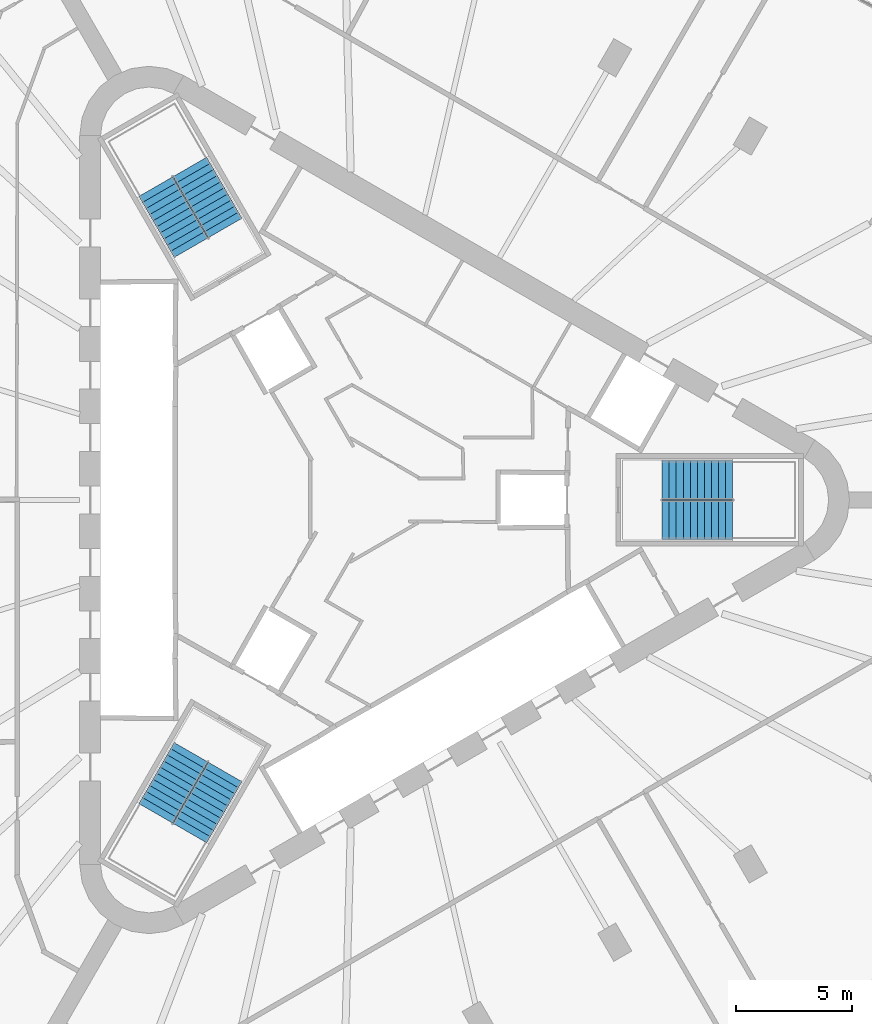
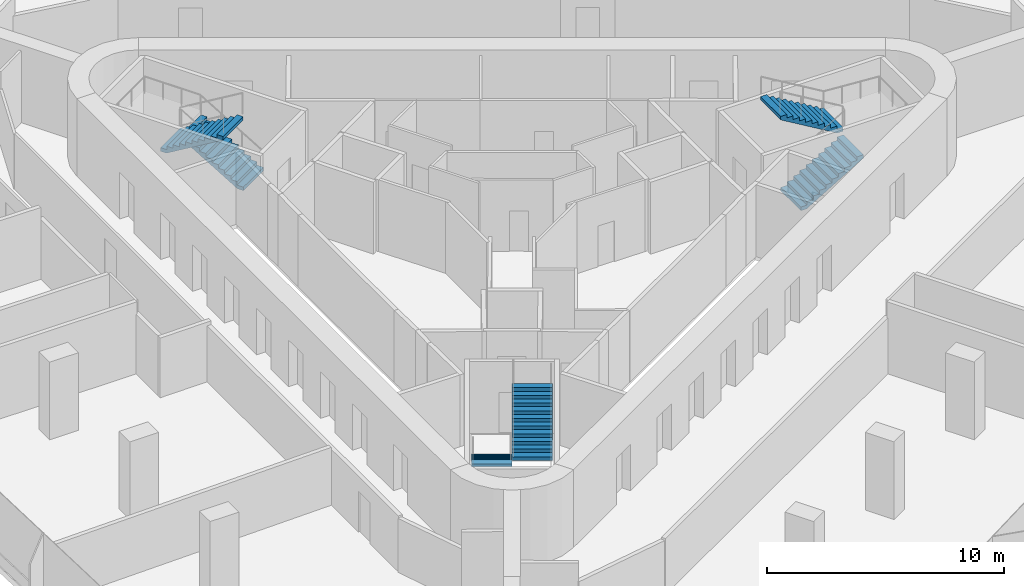
# One storey, part 13 of 14: 6 stair flights, 3 elements without a shape of their own.
"""IFC4 building model written with IfcOpenShell, lengths in metres."""

from ifc_helpers import new_model, si_unit, direction, frame, origin, place, context, subcontext, project, spatial, polyline, outline, extrude, material, type_object, element, aggregate, save


model = new_model("IFC4")

# Units and contexts
model_context = context("Model", 3, precision=1e-05, world=origin(), true_north=direction((0.0, 1.0)))
body_context = subcontext(model_context, "Body", "Model", "MODEL_VIEW")
ifc_project = project(units=[si_unit("LENGTHUNIT", "METRE"), si_unit("AREAUNIT", "SQUARE_METRE"), si_unit("VOLUMEUNIT", "CUBIC_METRE"), si_unit("PLANEANGLEUNIT", "RADIAN"), si_unit("MASSUNIT", "GRAM", prefix="KILO")], contexts=[model_context])

# Site, building, storey
site_placement = place(None, origin())
site = spatial("IfcSite", under=ifc_project, at=site_placement, CompositionType="ELEMENT")
building_placement = place(site_placement, origin())
building = spatial("IfcBuilding", under=site, at=building_placement, Name="Tanit Gate Tower", CompositionType="ELEMENT")
storey_placement = place(building_placement, frame((0.0, 0.0, 221.199951171875)))
storey = spatial("IfcBuildingStorey", under=building, at=storey_placement, Name="L49", CompositionType="ELEMENT", Elevation=221.199951171875)

# Stair, stair flights
ifc_material_1 = material(Name="Concrete C40/50", Category="concrete")
stair_type = type_object("IfcStairType", Name="INT-STAIR-EXIT", PredefinedType="HALF_TURN_STAIR", material=ifc_material_1)
stair_1_placement = place(storey_placement, origin())
stair_1 = element("IfcStair", 1, at=stair_1_placement, inside=storey, type_object=stair_type, Name="L49 STAIR S1", PredefinedType="HALF_TURN_STAIR")
ifc_material_2 = material(Name="Concrete C40/50", Category="concrete")
stair_flight_type = type_object("IfcStairFlightType", Name="INT-STAIR-FLIGHT", PredefinedType="STRAIGHT", material=ifc_material_2)
stair_flight_1_placement = place(storey_placement, frame((13.094970703125, -0.8525390625, 0.0), z_axis=(0.0, 0.0, 1.0), x_axis=(1.0, 0.0, 0.0)))
stair_flight_1 = element("IfcStairFlight", 2, at=stair_flight_1_placement, type_object=stair_flight_type, Name="S1 flight 1", NumberOfRisers=11, NumberOfTreads=10, PredefinedType="STRAIGHT", RiserHeight=0.181818182, TreadLength=0.3051, context=body_context, shape_type="SweptSolid", body=[
    extrude(outline(polyline([(0.0, 0.0), (0.0, 0.181884765625), (0.30517578125, 0.181884765625), (0.30517578125, 0.363525390625), (0.610107421875, 0.363525390625), (0.610107421875, 0.54541015625), (0.915283203125, 0.54541015625), (0.915283203125, 0.727294921875), (1.220458984375, 0.727294921875), (1.220458984375, 0.9091796875), (1.525390625, 0.9091796875), (1.525390625, 1.0908203125), (1.83056640625, 1.0908203125), (1.83056640625, 1.272705078125), (2.1357421875, 1.272705078125), (2.1357421875, 1.45458984375), (2.44091796875, 1.45458984375), (2.44091796875, 1.636474609375), (2.745849609375, 1.636474609375), (2.745849609375, 1.818115234375), (3.051025390625, 1.818115234375), (3.051025390625, 2.0), (3.051025390625, 1.643798828125), (0.292724609375, 0.0), (0.0, 0.0)])), frame((0.0, 0.84765625, 0.0), z_axis=(0.0, -1.0, 0.0), x_axis=(1.0, 0.0, 0.0)), (0.0, 0.0, 1.0), 1.695068359375),
])
stair_flight_2_placement = place(storey_placement, frame((16.14599609375, 0.8525390625, 2.0), z_axis=(0.0, 0.0, 1.0), x_axis=(-1.0, 0.0, 0.0)))
stair_flight_2 = element("IfcStairFlight", 3, at=stair_flight_2_placement, type_object=stair_flight_type, Name="S1 flight 2", NumberOfRisers=11, NumberOfTreads=10, PredefinedType="STRAIGHT", RiserHeight=0.181818182, TreadLength=0.3051, context=body_context, shape_type="SweptSolid", body=[
    extrude(outline(polyline([(0.0, 0.0), (0.0, 0.181884765625), (0.30517578125, 0.181884765625), (0.30517578125, 0.363525390625), (0.610107421875, 0.363525390625), (0.610107421875, 0.54541015625), (0.915283203125, 0.54541015625), (0.915283203125, 0.727294921875), (1.220458984375, 0.727294921875), (1.220458984375, 0.9091796875), (1.525390625, 0.9091796875), (1.525390625, 1.0908203125), (1.83056640625, 1.0908203125), (1.83056640625, 1.272705078125), (2.1357421875, 1.272705078125), (2.1357421875, 1.45458984375), (2.44091796875, 1.45458984375), (2.44091796875, 1.636474609375), (2.745849609375, 1.636474609375), (2.745849609375, 1.818115234375), (3.051025390625, 1.818115234375), (3.051025390625, 2.0), (3.051025390625, 1.643798828125), (0.292724609375, 0.0), (0.0, 0.0)])), frame((0.0, 0.84765625, 0.0), z_axis=(0.0, -1.0, 0.0), x_axis=(1.0, 0.0, 0.0)), (0.0, 0.0, 1.0), 1.695068359375),
])
aggregate(stair_1, [stair_flight_1, stair_flight_2])

stair_2_placement = place(storey_placement, origin())
stair_2 = element("IfcStair", 4, at=stair_2_placement, inside=storey, type_object=stair_type, Name="L49 STAIR S2", PredefinedType="HALF_TURN_STAIR")
stair_flight_3_placement = place(storey_placement, frame((-5.808349609375, 11.766357421875, 0.0), z_axis=(0.0, 0.0, 1.0), x_axis=(-0.5, 0.866025403784, 0.0)))
stair_flight_3 = element("IfcStairFlight", 5, at=stair_flight_3_placement, type_object=stair_flight_type, Name="S2 flight 1", NumberOfRisers=11, NumberOfTreads=10, PredefinedType="STRAIGHT", RiserHeight=0.181818182, TreadLength=0.30492, context=body_context, shape_type="SweptSolid", body=[
    extrude(outline(polyline([(0.0, 0.0), (0.0, 0.181884765625), (0.304931640625, 0.181884765625), (0.304931640625, 0.363525390625), (0.60986328125, 0.363525390625), (0.60986328125, 0.54541015625), (0.914794921875, 0.54541015625), (0.914794921875, 0.727294921875), (1.2197265625, 0.727294921875), (1.2197265625, 0.9091796875), (1.524658203125, 0.9091796875), (1.524658203125, 1.0908203125), (1.82958984375, 1.0908203125), (1.82958984375, 1.272705078125), (2.134521484375, 1.272705078125), (2.134521484375, 1.45458984375), (2.439453125, 1.45458984375), (2.439453125, 1.636474609375), (2.744384765625, 1.636474609375), (2.744384765625, 1.818115234375), (3.04931640625, 1.818115234375), (3.04931640625, 2.0), (3.04931640625, 1.6435546875), (0.292724609375, 0.0), (0.0, 0.0)])), frame((0.0, 0.84716796875, 0.0), z_axis=(0.0, -1.0, 0.0), x_axis=(1.0, 0.0, 0.0)), (0.0, 0.0, 1.0), 1.694091796875),
])
stair_flight_4_placement = place(storey_placement, frame((-8.810302734375, 13.553955078125, 2.0), z_axis=(0.0, 0.0, 1.0), x_axis=(0.5, -0.866025403784, 0.0)))
stair_flight_4 = element("IfcStairFlight", 6, at=stair_flight_4_placement, type_object=stair_flight_type, Name="S2 flight 2", NumberOfRisers=11, NumberOfTreads=10, PredefinedType="STRAIGHT", RiserHeight=0.181818182, TreadLength=0.30492, context=body_context, shape_type="SweptSolid", body=[
    extrude(outline(polyline([(0.0, 0.0), (0.0, 0.181884765625), (0.304931640625, 0.181884765625), (0.304931640625, 0.363525390625), (0.60986328125, 0.363525390625), (0.60986328125, 0.54541015625), (0.914794921875, 0.54541015625), (0.914794921875, 0.727294921875), (1.2197265625, 0.727294921875), (1.2197265625, 0.9091796875), (1.524658203125, 0.9091796875), (1.524658203125, 1.0908203125), (1.82958984375, 1.0908203125), (1.82958984375, 1.272705078125), (2.134521484375, 1.272705078125), (2.134521484375, 1.45458984375), (2.439453125, 1.45458984375), (2.439453125, 1.636474609375), (2.744384765625, 1.636474609375), (2.744384765625, 1.818115234375), (3.04931640625, 1.818115234375), (3.04931640625, 2.0), (3.04931640625, 1.6435546875), (0.292724609375, 0.0), (0.0, 0.0)])), frame((0.0, 0.84716796875, 0.0), z_axis=(0.0, -1.0, 0.0), x_axis=(1.0, 0.0, 0.0)), (0.0, 0.0, 1.0), 1.694091796875),
])
aggregate(stair_2, [stair_flight_3, stair_flight_4])

stair_3_placement = place(storey_placement, origin())
stair_3 = element("IfcStair", 7, at=stair_3_placement, inside=storey, type_object=stair_type, Name="L49 STAIR S3", PredefinedType="HALF_TURN_STAIR")
stair_flight_5_placement = place(storey_placement, frame((-7.285888671875, -10.914306640625, 0.0), z_axis=(0.0, 0.0, 1.0), x_axis=(-0.5, -0.866025403784, 0.0)))
stair_flight_5 = element("IfcStairFlight", 8, at=stair_flight_5_placement, type_object=stair_flight_type, Name="S3 flight 1", NumberOfRisers=11, NumberOfTreads=10, PredefinedType="STRAIGHT", RiserHeight=0.181818182, TreadLength=0.3051, context=body_context, shape_type="SweptSolid", body=[
    extrude(outline(polyline([(0.0, 0.0), (0.0, 0.181884765625), (0.30517578125, 0.181884765625), (0.30517578125, 0.363525390625), (0.610107421875, 0.363525390625), (0.610107421875, 0.54541015625), (0.915283203125, 0.54541015625), (0.915283203125, 0.727294921875), (1.220458984375, 0.727294921875), (1.220458984375, 0.9091796875), (1.525390625, 0.9091796875), (1.525390625, 1.0908203125), (1.83056640625, 1.0908203125), (1.83056640625, 1.272705078125), (2.1357421875, 1.272705078125), (2.1357421875, 1.45458984375), (2.44091796875, 1.45458984375), (2.44091796875, 1.636474609375), (2.745849609375, 1.636474609375), (2.745849609375, 1.818115234375), (3.051025390625, 1.818115234375), (3.051025390625, 2.0), (3.051025390625, 1.643798828125), (0.292724609375, 0.0), (0.0, 0.0)])), frame((0.0, 0.84765625, 0.0), z_axis=(0.0, -1.0, 0.0), x_axis=(1.0, 0.0, 0.0)), (0.0, 0.0, 1.0), 1.695068359375),
])
stair_flight_6_placement = place(storey_placement, frame((-7.334716796875, -14.4091796875, 2.0), z_axis=(0.0, 0.0, 1.0), x_axis=(0.5, 0.866025403784, 0.0)))
stair_flight_6 = element("IfcStairFlight", 9, at=stair_flight_6_placement, type_object=stair_flight_type, Name="S3 flight 2", NumberOfRisers=11, NumberOfTreads=10, PredefinedType="STRAIGHT", RiserHeight=0.181818182, TreadLength=0.3051, context=body_context, shape_type="SweptSolid", body=[
    extrude(outline(polyline([(0.0, 0.0), (0.0, 0.181884765625), (0.30517578125, 0.181884765625), (0.30517578125, 0.363525390625), (0.610107421875, 0.363525390625), (0.610107421875, 0.54541015625), (0.915283203125, 0.54541015625), (0.915283203125, 0.727294921875), (1.220458984375, 0.727294921875), (1.220458984375, 0.9091796875), (1.525390625, 0.9091796875), (1.525390625, 1.0908203125), (1.83056640625, 1.0908203125), (1.83056640625, 1.272705078125), (2.1357421875, 1.272705078125), (2.1357421875, 1.45458984375), (2.44091796875, 1.45458984375), (2.44091796875, 1.636474609375), (2.745849609375, 1.636474609375), (2.745849609375, 1.818115234375), (3.051025390625, 1.818115234375), (3.051025390625, 2.0), (3.051025390625, 1.643798828125), (0.292724609375, 0.0), (0.0, 0.0)])), frame((0.0, 0.84765625, 0.0), z_axis=(0.0, -1.0, 0.0), x_axis=(1.0, 0.0, 0.0)), (0.0, 0.0, 1.0), 1.695068359375),
])
aggregate(stair_3, [stair_flight_5, stair_flight_6])

save(model, "model.ifc")
